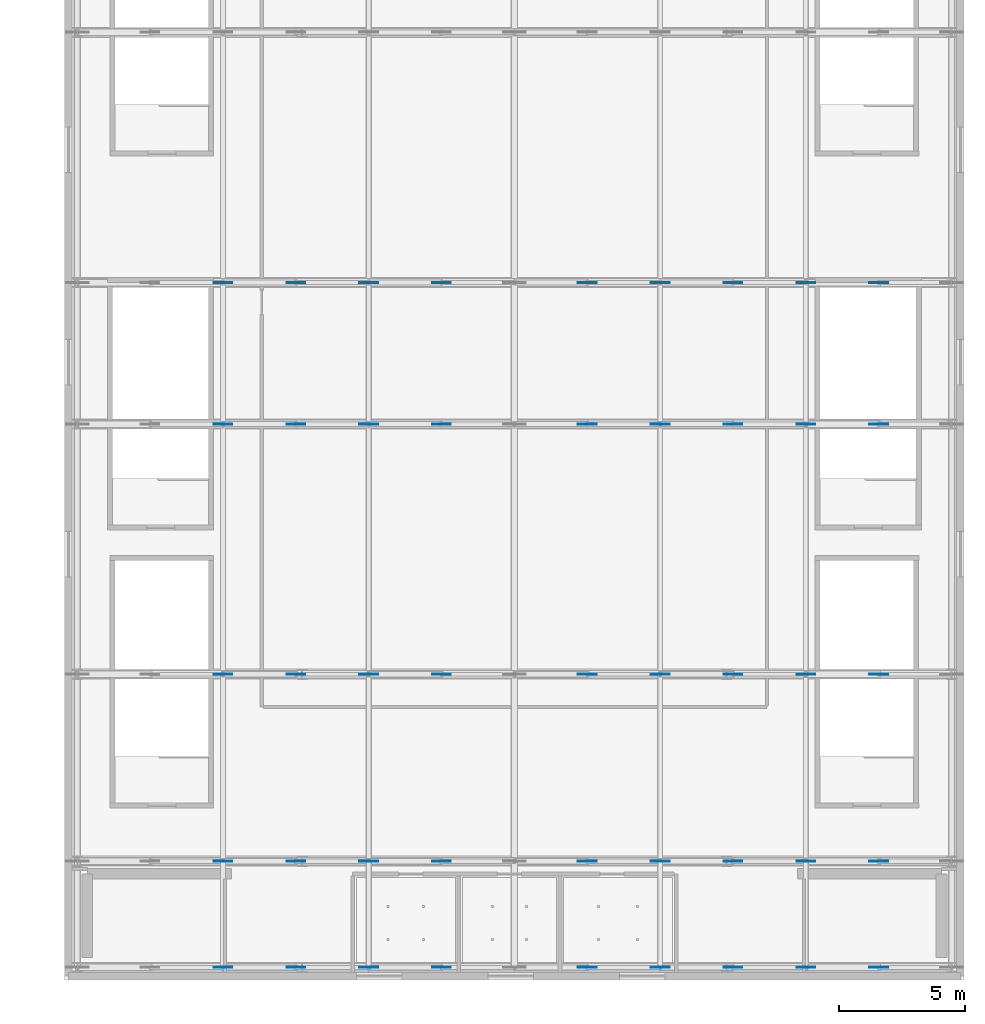
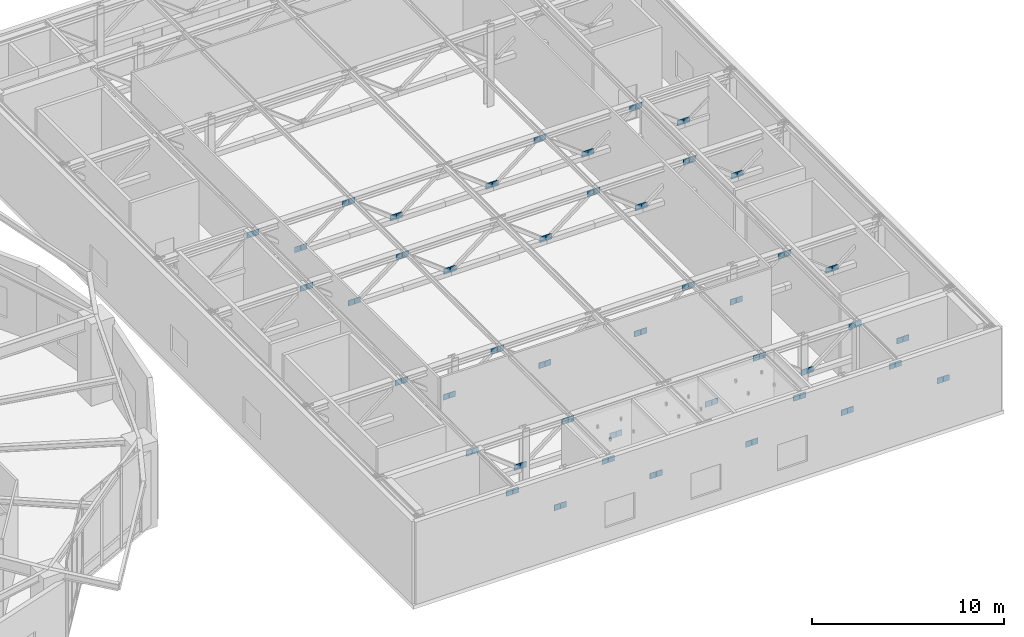
# One storey, part 19 of 29: 90 plates.
"""IFC4 building model written with IfcOpenShell, lengths in metres."""

from ifc_helpers import new_model, si_unit, direction, frame, origin, origin_2d, place, context, subcontext, project, spatial, rectangle, extrude, material, layer, layer_set, type_object, element, save


model = new_model("IFC4")

# Units and contexts
model_context = context("Model", 3, precision=1e-05, world=origin(), true_north=direction((0.0, 1.0)))
body_context = subcontext(model_context, "Body", "Model", "MODEL_VIEW")
ifc_project = project(units=[si_unit("LENGTHUNIT", "METRE"), si_unit("AREAUNIT", "SQUARE_METRE"), si_unit("VOLUMEUNIT", "CUBIC_METRE"), si_unit("PLANEANGLEUNIT", "RADIAN"), si_unit("MASSUNIT", "GRAM", prefix="KILO")], contexts=[model_context])

# Site, building, storey
site_placement = place(None, origin())
site = spatial("IfcSite", under=ifc_project, at=site_placement, CompositionType="ELEMENT")
building_placement = place(site_placement, origin())
building = spatial("IfcBuilding", under=site, at=building_placement, Name="Kolvaren Gate Tower and Convention Centre", CompositionType="ELEMENT")
storey_placement = place(building_placement, frame((0.0, 0.0, 21.0)))
storey = spatial("IfcBuildingStorey", under=building, at=storey_placement, Name="L04", CompositionType="ELEMENT", Elevation=21.0)

# Plates
ifc_material = material(Name="Structural steel plate ASTM A572 Grade 345 MPa", Category="steel")
ifc_layer = layer(ifc_material, 0.035888671875)
ifc_layer_set = layer_set([ifc_layer], Name="Structural steel plate ASTM A572 Grade 345 MPa")
plate_type = type_object("IfcPlateType", Name="STR-PL-END-36", PredefinedType="USERDEFINED", material=ifc_layer_set)
for number, where, z_axis, x_axis, name in (
    (1, (68.276611328125, 2.699951171875, 4.59375), (0.0, 0.0, 1.0), (1.0, 0.0, 0.0), "Structural Brace End Connection Gusset Plate EGP-051"),
    (2, (68.656982421875, 2.699951171875, 4.59375), (0.0, 0.0, 1.0), (1.0, 0.0, 0.0), "Structural Brace End Connection Gusset Plate EGP-052"),
    (3, (71.159912109375, 2.699951171875, 2.66650390625), (0.0, 0.0, 1.0), (1.0, 0.0, 0.0), "Structural Brace End Connection Gusset Plate EGP-053"),
    (4, (71.540283203125, 2.699951171875, 2.66650390625), (0.0, 0.0, 1.0), (1.0, 0.0, 0.0), "Structural Brace End Connection Gusset Plate EGP-054"),
    (5, (74.043212890625, 2.699951171875, 4.59375), (0.0, 0.0, 1.0), (1.0, 0.0, 0.0), "Structural Brace End Connection Gusset Plate EGP-055"),
    (6, (74.423583984375, 2.699951171875, 4.59375), (0.0, 0.0, 1.0), (1.0, 0.0, 0.0), "Structural Brace End Connection Gusset Plate EGP-056"),
    (7, (76.926513671875, 2.699951171875, 2.66650390625), (0.0, 0.0, 1.0), (1.0, 0.0, 0.0), "Structural Brace End Connection Gusset Plate EGP-057"),
    (8, (77.306884765625, 2.699951171875, 2.66650390625), (0.0, 0.0, 1.0), (1.0, 0.0, 0.0), "Structural Brace End Connection Gusset Plate EGP-058"),
    (9, (82.693115234375, 2.699951171875, 2.66650390625), (0.0, 0.0, 1.0), (1.0, 0.0, 0.0), "Structural Brace End Connection Gusset Plate EGP-059"),
    (10, (83.073486328125, 2.699951171875, 2.66650390625), (0.0, 0.0, 1.0), (1.0, 0.0, 0.0), "Structural Brace End Connection Gusset Plate EGP-060"),
    (11, (85.576416015625, 2.699951171875, 4.59375), (0.0, 0.0, 1.0), (1.0, 0.0, 0.0), "Structural Brace End Connection Gusset Plate EGP-061"),
    (12, (85.956787109375, 2.699951171875, 4.59375), (0.0, 0.0, 1.0), (1.0, 0.0, 0.0), "Structural Brace End Connection Gusset Plate EGP-062"),
    (13, (88.459716796875, 2.699951171875, 2.66650390625), (0.0, 0.0, 1.0), (1.0, 0.0, 0.0), "Structural Brace End Connection Gusset Plate EGP-063"),
    (14, (88.840087890625, 2.699951171875, 2.66650390625), (0.0, 0.0, 1.0), (1.0, 0.0, 0.0), "Structural Brace End Connection Gusset Plate EGP-064"),
    (15, (91.343017578125, 2.699951171875, 4.59375), (0.0, 0.0, 1.0), (1.0, 0.0, 0.0), "Structural Brace End Connection Gusset Plate EGP-065"),
    (16, (91.723388671875, 2.699951171875, 4.59375), (0.0, 0.0, 1.0), (1.0, 0.0, 0.0), "Structural Brace End Connection Gusset Plate EGP-066"),
    (17, (94.2265625, 2.699951171875, 2.66650390625), (0.0, 0.0, 1.0), (1.0, 0.0, 0.0), "Structural Brace End Connection Gusset Plate EGP-067"),
    (18, (94.60693359375, 2.699951171875, 2.66650390625), (0.0, 0.0, 1.0), (1.0, 0.0, 0.0), "Structural Brace End Connection Gusset Plate EGP-068"),
    (19, (68.276611328125, 6.89990234375, 4.59375), (0.0, 0.0, 1.0), (1.0, 0.0, 0.0), "Structural Brace End Connection Gusset Plate EGP-071"),
    (20, (68.656982421875, 6.89990234375, 4.59375), (0.0, 0.0, 1.0), (1.0, 0.0, 0.0), "Structural Brace End Connection Gusset Plate EGP-072"),
    (21, (71.159912109375, 6.89990234375, 2.66650390625), (0.0, 0.0, 1.0), (1.0, 0.0, 0.0), "Structural Brace End Connection Gusset Plate EGP-073"),
    (22, (71.540283203125, 6.89990234375, 2.66650390625), (0.0, 0.0, 1.0), (1.0, 0.0, 0.0), "Structural Brace End Connection Gusset Plate EGP-074"),
    (23, (74.043212890625, 6.89990234375, 4.59375), (0.0, 0.0, 1.0), (1.0, 0.0, 0.0), "Structural Brace End Connection Gusset Plate EGP-075"),
    (24, (74.423583984375, 6.89990234375, 4.59375), (0.0, 0.0, 1.0), (1.0, 0.0, 0.0), "Structural Brace End Connection Gusset Plate EGP-076"),
    (25, (76.926513671875, 6.89990234375, 2.66650390625), (0.0, 0.0, 1.0), (1.0, 0.0, 0.0), "Structural Brace End Connection Gusset Plate EGP-077"),
    (26, (77.306884765625, 6.89990234375, 2.66650390625), (0.0, 0.0, 1.0), (1.0, 0.0, 0.0), "Structural Brace End Connection Gusset Plate EGP-078"),
    (27, (82.693115234375, 6.89990234375, 2.66650390625), (0.0, 0.0, 1.0), (1.0, 0.0, 0.0), "Structural Brace End Connection Gusset Plate EGP-079"),
    (28, (83.073486328125, 6.89990234375, 2.66650390625), (0.0, 0.0, 1.0), (1.0, 0.0, 0.0), "Structural Brace End Connection Gusset Plate EGP-080"),
    (29, (85.576416015625, 6.89990234375, 4.59375), (0.0, 0.0, 1.0), (1.0, 0.0, 0.0), "Structural Brace End Connection Gusset Plate EGP-081"),
    (30, (85.956787109375, 6.89990234375, 4.59375), (0.0, 0.0, 1.0), (1.0, 0.0, 0.0), "Structural Brace End Connection Gusset Plate EGP-082"),
    (31, (88.459716796875, 6.89990234375, 2.66650390625), (0.0, 0.0, 1.0), (1.0, 0.0, 0.0), "Structural Brace End Connection Gusset Plate EGP-083"),
    (32, (88.840087890625, 6.89990234375, 2.66650390625), (0.0, 0.0, 1.0), (1.0, 0.0, 0.0), "Structural Brace End Connection Gusset Plate EGP-084"),
    (33, (91.343017578125, 6.89990234375, 4.59375), (0.0, 0.0, 1.0), (1.0, 0.0, 0.0), "Structural Brace End Connection Gusset Plate EGP-085"),
    (34, (91.723388671875, 6.89990234375, 4.59375), (0.0, 0.0, 1.0), (1.0, 0.0, 0.0), "Structural Brace End Connection Gusset Plate EGP-086"),
    (35, (94.2265625, 6.89990234375, 2.66650390625), (0.0, 0.0, 1.0), (1.0, 0.0, 0.0), "Structural Brace End Connection Gusset Plate EGP-087"),
    (36, (94.60693359375, 6.89990234375, 2.66650390625), (0.0, 0.0, 1.0), (1.0, 0.0, 0.0), "Structural Brace End Connection Gusset Plate EGP-088"),
    (37, (68.276611328125, 14.300048828125, 4.59375), (0.0, 0.0, 1.0), (1.0, 0.0, 0.0), "Structural Brace End Connection Gusset Plate EGP-091"),
    (38, (68.656982421875, 14.300048828125, 4.59375), (0.0, 0.0, 1.0), (1.0, 0.0, 0.0), "Structural Brace End Connection Gusset Plate EGP-092"),
    (39, (71.159912109375, 14.300048828125, 2.66650390625), (0.0, 0.0, 1.0), (1.0, 0.0, 0.0), "Structural Brace End Connection Gusset Plate EGP-093"),
    (40, (71.540283203125, 14.300048828125, 2.66650390625), (0.0, 0.0, 1.0), (1.0, 0.0, 0.0), "Structural Brace End Connection Gusset Plate EGP-094"),
    (41, (74.043212890625, 14.300048828125, 4.59375), (0.0, 0.0, 1.0), (1.0, 0.0, 0.0), "Structural Brace End Connection Gusset Plate EGP-095"),
    (42, (74.423583984375, 14.300048828125, 4.59375), (0.0, 0.0, 1.0), (1.0, 0.0, 0.0), "Structural Brace End Connection Gusset Plate EGP-096"),
    (43, (76.926513671875, 14.300048828125, 2.66650390625), (0.0, 0.0, 1.0), (1.0, 0.0, 0.0), "Structural Brace End Connection Gusset Plate EGP-097"),
    (44, (77.306884765625, 14.300048828125, 2.66650390625), (0.0, 0.0, 1.0), (1.0, 0.0, 0.0), "Structural Brace End Connection Gusset Plate EGP-098"),
    (45, (82.693115234375, 14.300048828125, 2.66650390625), (0.0, 0.0, 1.0), (1.0, 0.0, 0.0), "Structural Brace End Connection Gusset Plate EGP-099"),
    (46, (83.073486328125, 14.300048828125, 2.66650390625), (0.0, 0.0, 1.0), (1.0, 0.0, 0.0), "Structural Brace End Connection Gusset Plate EGP-100"),
    (47, (85.576416015625, 14.300048828125, 4.59375), (0.0, 0.0, 1.0), (1.0, 0.0, 0.0), "Structural Brace End Connection Gusset Plate EGP-101"),
    (48, (85.956787109375, 14.300048828125, 4.59375), (0.0, 0.0, 1.0), (1.0, 0.0, 0.0), "Structural Brace End Connection Gusset Plate EGP-102"),
    (49, (88.459716796875, 14.300048828125, 2.66650390625), (0.0, 0.0, 1.0), (1.0, 0.0, 0.0), "Structural Brace End Connection Gusset Plate EGP-103"),
    (50, (88.840087890625, 14.300048828125, 2.66650390625), (0.0, 0.0, 1.0), (1.0, 0.0, 0.0), "Structural Brace End Connection Gusset Plate EGP-104"),
    (51, (91.343017578125, 14.300048828125, 4.59375), (0.0, 0.0, 1.0), (1.0, 0.0, 0.0), "Structural Brace End Connection Gusset Plate EGP-105"),
    (52, (91.723388671875, 14.300048828125, 4.59375), (0.0, 0.0, 1.0), (1.0, 0.0, 0.0), "Structural Brace End Connection Gusset Plate EGP-106"),
    (53, (94.2265625, 14.300048828125, 2.66650390625), (0.0, 0.0, 1.0), (1.0, 0.0, 0.0), "Structural Brace End Connection Gusset Plate EGP-107"),
    (54, (94.60693359375, 14.300048828125, 2.66650390625), (0.0, 0.0, 1.0), (1.0, 0.0, 0.0), "Structural Brace End Connection Gusset Plate EGP-108"),
    (55, (68.276611328125, 24.199951171875, 4.59375), (0.0, 0.0, 1.0), (1.0, 0.0, 0.0), "Structural Brace End Connection Gusset Plate EGP-111"),
    (56, (68.656982421875, 24.199951171875, 4.59375), (0.0, 0.0, 1.0), (1.0, 0.0, 0.0), "Structural Brace End Connection Gusset Plate EGP-112"),
    (57, (71.159912109375, 24.199951171875, 2.66650390625), (0.0, 0.0, 1.0), (1.0, 0.0, 0.0), "Structural Brace End Connection Gusset Plate EGP-113"),
    (58, (71.540283203125, 24.199951171875, 2.66650390625), (0.0, 0.0, 1.0), (1.0, 0.0, 0.0), "Structural Brace End Connection Gusset Plate EGP-114"),
    (59, (74.043212890625, 24.199951171875, 4.59375), (0.0, 0.0, 1.0), (1.0, 0.0, 0.0), "Structural Brace End Connection Gusset Plate EGP-115"),
    (60, (74.423583984375, 24.199951171875, 4.59375), (0.0, 0.0, 1.0), (1.0, 0.0, 0.0), "Structural Brace End Connection Gusset Plate EGP-116"),
    (61, (76.926513671875, 24.199951171875, 2.66650390625), (0.0, 0.0, 1.0), (1.0, 0.0, 0.0), "Structural Brace End Connection Gusset Plate EGP-117"),
    (62, (77.306884765625, 24.199951171875, 2.66650390625), (0.0, 0.0, 1.0), (1.0, 0.0, 0.0), "Structural Brace End Connection Gusset Plate EGP-118"),
    (63, (82.693115234375, 24.199951171875, 2.66650390625), (0.0, 0.0, 1.0), (1.0, 0.0, 0.0), "Structural Brace End Connection Gusset Plate EGP-119"),
    (64, (83.073486328125, 24.199951171875, 2.66650390625), (0.0, 0.0, 1.0), (1.0, 0.0, 0.0), "Structural Brace End Connection Gusset Plate EGP-120"),
    (65, (85.576416015625, 24.199951171875, 4.59375), (0.0, 0.0, 1.0), (1.0, 0.0, 0.0), "Structural Brace End Connection Gusset Plate EGP-121"),
    (66, (85.956787109375, 24.199951171875, 4.59375), (0.0, 0.0, 1.0), (1.0, 0.0, 0.0), "Structural Brace End Connection Gusset Plate EGP-122"),
    (67, (88.459716796875, 24.199951171875, 2.66650390625), (0.0, 0.0, 1.0), (1.0, 0.0, 0.0), "Structural Brace End Connection Gusset Plate EGP-123"),
    (68, (88.840087890625, 24.199951171875, 2.66650390625), (0.0, 0.0, 1.0), (1.0, 0.0, 0.0), "Structural Brace End Connection Gusset Plate EGP-124"),
    (69, (91.343017578125, 24.199951171875, 4.59375), (0.0, 0.0, 1.0), (1.0, 0.0, 0.0), "Structural Brace End Connection Gusset Plate EGP-125"),
    (70, (91.723388671875, 24.199951171875, 4.59375), (0.0, 0.0, 1.0), (1.0, 0.0, 0.0), "Structural Brace End Connection Gusset Plate EGP-126"),
    (71, (94.2265625, 24.199951171875, 2.66650390625), (0.0, 0.0, 1.0), (1.0, 0.0, 0.0), "Structural Brace End Connection Gusset Plate EGP-127"),
    (72, (94.60693359375, 24.199951171875, 2.66650390625), (0.0, 0.0, 1.0), (1.0, 0.0, 0.0), "Structural Brace End Connection Gusset Plate EGP-128"),
    (73, (68.276611328125, 29.800048828125, 4.59375), (0.0, 0.0, 1.0), (1.0, 0.0, 0.0), "Structural Brace End Connection Gusset Plate EGP-131"),
    (74, (68.656982421875, 29.800048828125, 4.59375), (0.0, 0.0, 1.0), (1.0, 0.0, 0.0), "Structural Brace End Connection Gusset Plate EGP-132"),
    (75, (71.159912109375, 29.800048828125, 2.66650390625), (0.0, 0.0, 1.0), (1.0, 0.0, 0.0), "Structural Brace End Connection Gusset Plate EGP-133"),
    (76, (71.540283203125, 29.800048828125, 2.66650390625), (0.0, 0.0, 1.0), (1.0, 0.0, 0.0), "Structural Brace End Connection Gusset Plate EGP-134"),
    (77, (74.043212890625, 29.800048828125, 4.59375), (0.0, 0.0, 1.0), (1.0, 0.0, 0.0), "Structural Brace End Connection Gusset Plate EGP-135"),
    (78, (74.423583984375, 29.800048828125, 4.59375), (0.0, 0.0, 1.0), (1.0, 0.0, 0.0), "Structural Brace End Connection Gusset Plate EGP-136"),
    (79, (76.926513671875, 29.800048828125, 2.66650390625), (0.0, 0.0, 1.0), (1.0, 0.0, 0.0), "Structural Brace End Connection Gusset Plate EGP-137"),
    (80, (77.306884765625, 29.800048828125, 2.66650390625), (0.0, 0.0, 1.0), (1.0, 0.0, 0.0), "Structural Brace End Connection Gusset Plate EGP-138"),
    (81, (82.693115234375, 29.800048828125, 2.66650390625), (0.0, 0.0, 1.0), (1.0, 0.0, 0.0), "Structural Brace End Connection Gusset Plate EGP-139"),
    (82, (83.073486328125, 29.800048828125, 2.66650390625), (0.0, 0.0, 1.0), (1.0, 0.0, 0.0), "Structural Brace End Connection Gusset Plate EGP-140"),
    (83, (85.576416015625, 29.800048828125, 4.59375), (0.0, 0.0, 1.0), (1.0, 0.0, 0.0), "Structural Brace End Connection Gusset Plate EGP-141"),
    (84, (85.956787109375, 29.800048828125, 4.59375), (0.0, 0.0, 1.0), (1.0, 0.0, 0.0), "Structural Brace End Connection Gusset Plate EGP-142"),
    (85, (88.459716796875, 29.800048828125, 2.66650390625), (0.0, 0.0, 1.0), (1.0, 0.0, 0.0), "Structural Brace End Connection Gusset Plate EGP-143"),
    (86, (88.840087890625, 29.800048828125, 2.66650390625), (0.0, 0.0, 1.0), (1.0, 0.0, 0.0), "Structural Brace End Connection Gusset Plate EGP-144"),
    (87, (91.343017578125, 29.800048828125, 4.59375), (0.0, 0.0, 1.0), (1.0, 0.0, 0.0), "Structural Brace End Connection Gusset Plate EGP-145"),
    (88, (91.723388671875, 29.800048828125, 4.59375), (0.0, 0.0, 1.0), (1.0, 0.0, 0.0), "Structural Brace End Connection Gusset Plate EGP-146"),
    (89, (94.2265625, 29.800048828125, 2.66650390625), (0.0, 0.0, 1.0), (1.0, 0.0, 0.0), "Structural Brace End Connection Gusset Plate EGP-147"),
    (90, (94.60693359375, 29.800048828125, 2.66650390625), (0.0, 0.0, 1.0), (1.0, 0.0, 0.0), "Structural Brace End Connection Gusset Plate EGP-148"),
):
    element("IfcPlate", number, at=place(storey_placement, frame(where, z_axis=z_axis, x_axis=x_axis)), inside=storey, type_object=plate_type, Name=name, ObjectType="GUSSET PLATE", PredefinedType="USERDEFINED", context=body_context, shape_type="SweptSolid", body=[
        extrude(rectangle(XDim=0.360107421875, YDim=0.035888671875, at=origin_2d()), origin(), (0.0, 0.0, 1.0), 0.360107421875),
    ])

save(model, "model.ifc")
